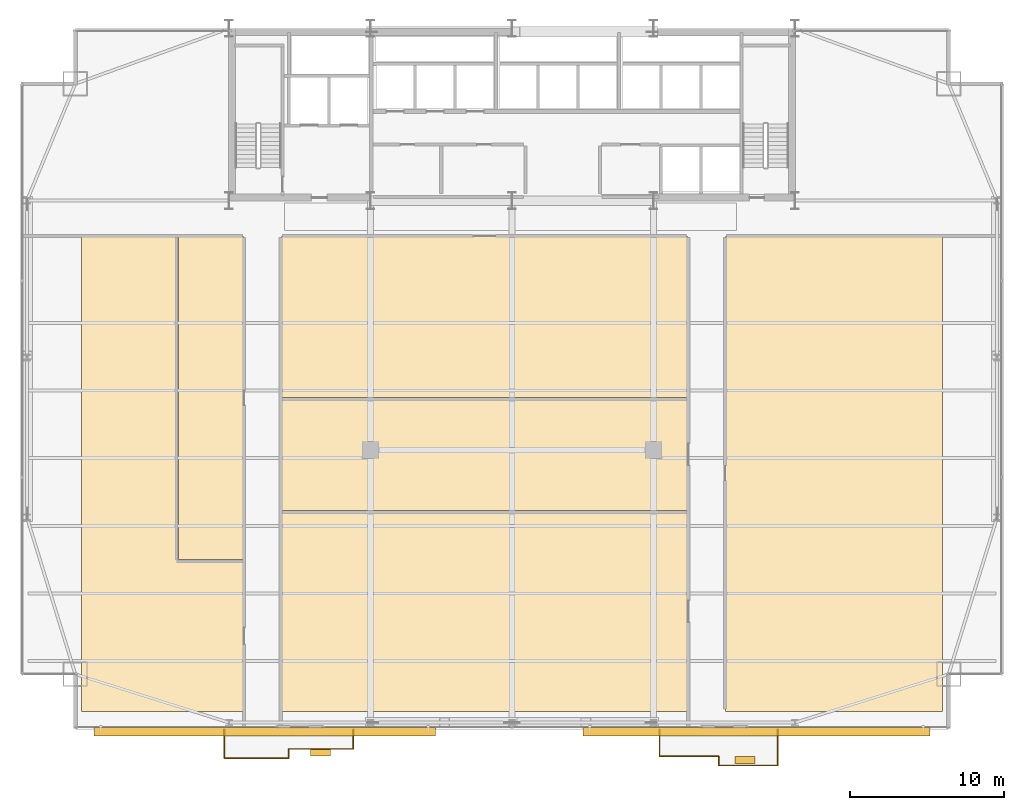
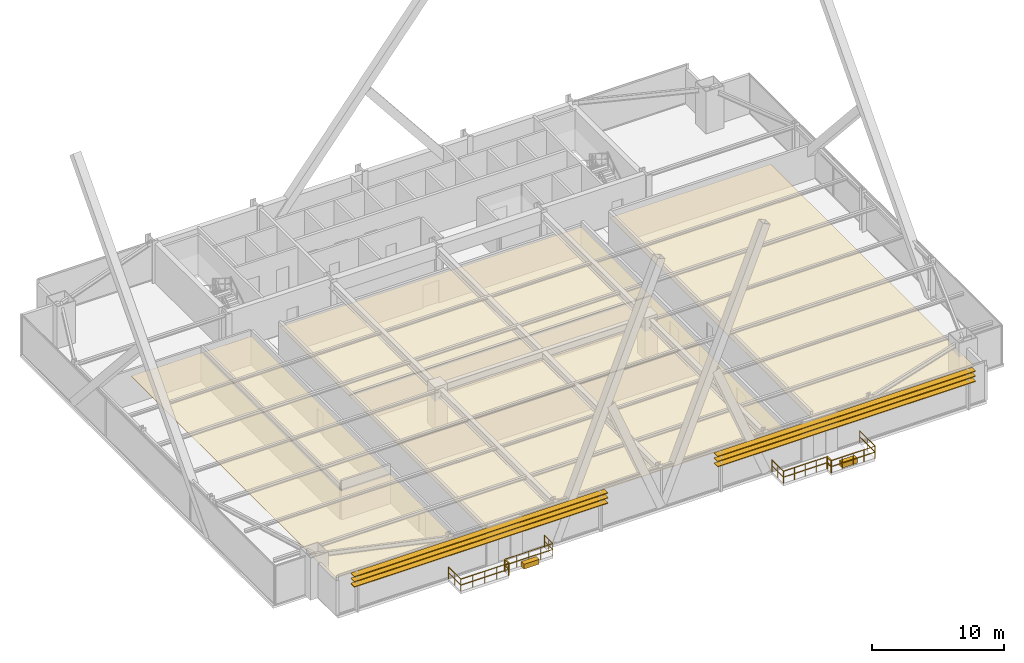
# One storey, part 31 of 32: 10 railings, 8 coverings, 6 shading devices.
"""IFC4 building model written with IfcOpenShell, lengths in metres."""

from ifc_helpers import new_model, si_unit, direction, frame, origin, origin_2d, place, context, subcontext, project, spatial, polyline, rectangle, outline, extrude, source, transform, mapped, material, layer, layer_set, type_object, type_shapes, element, save


model = new_model("IFC4")

# Units and contexts
model_context = context("Model", 3, precision=1e-05, world=origin(), true_north=direction((0.0, 1.0)))
body_context = subcontext(model_context, "Body", "Model", "MODEL_VIEW")
ifc_project = project(units=[si_unit("LENGTHUNIT", "METRE"), si_unit("AREAUNIT", "SQUARE_METRE"), si_unit("VOLUMEUNIT", "CUBIC_METRE"), si_unit("PLANEANGLEUNIT", "RADIAN"), si_unit("MASSUNIT", "GRAM", prefix="KILO")], contexts=[model_context])

# Site, building, storey
site_placement = place(None, origin())
site = spatial("IfcSite", under=ifc_project, at=site_placement, CompositionType="ELEMENT")
building_placement = place(site_placement, origin())
building = spatial("IfcBuilding", under=site, at=building_placement, Name="Varnel Quay Broadcast Tower", CompositionType="ELEMENT")
storey_placement = place(building_placement, frame((0.0, 0.0, 58.800048828125)))
storey = spatial("IfcBuildingStorey", under=building, at=storey_placement, Name="L13", CompositionType="ELEMENT", Elevation=58.800048828125)

# Coverings
ifc_material_1 = material(Name="Micro-Perforated Acoustic Ceiling Tile")
ifc_layer_1 = layer(ifc_material_1, 0.0400390625, Name="Micro-Perforated Acoustic Ceiling Tile")
ifc_layer_set_1 = layer_set([ifc_layer_1], Name="Micro-Perforated Acoustic Ceiling Tile")
covering_type_1 = type_object("IfcCoveringType", Name="Cov_AcousticCeiling", PredefinedType="CEILING", material=ifc_layer_set_1)
covering_1_placement = place(storey_placement, frame((0.0, 0.0, 2.579833984375)))
element("IfcCovering", 1, at=covering_1_placement, inside=storey, type_object=covering_type_1, Name="L13 Broadcast Seminar Room 1 Acoustic Ceiling", PredefinedType="CEILING", context=body_context, shape_type="SweptSolid", body=[
    extrude(outline(polyline([(5.985107421875, 2.375), (16.534912109375, 2.375), (16.534912109375, 12.195068359375), (12.235107421875, 12.195068359375), (12.235107421875, 33.264892578125), (5.985107421875, 33.264892578125), (5.985107421875, 2.375)])), origin(), (0.0, 0.0, 1.0), 0.0400390625),
])
covering_2_placement = place(storey_placement, frame((0.0, 0.0, 2.579833984375)))
element("IfcCovering", 2, at=covering_2_placement, inside=storey, type_object=covering_type_1, Name="L13 Audio Control Room 2 Acoustic Ceiling", PredefinedType="CEILING", context=body_context, shape_type="SweptSolid", body=[
    extrude(outline(polyline([(12.304931640625, 12.264892578125), (16.534912109375, 12.264892578125), (16.534912109375, 33.264892578125), (12.304931640625, 33.264892578125), (12.304931640625, 12.264892578125)])), origin(), (0.0, 0.0, 1.0), 0.0400390625),
])
covering_3_placement = place(storey_placement, frame((0.0, 0.0, 2.579833984375)))
element("IfcCovering", 3, at=covering_3_placement, inside=storey, type_object=covering_type_1, Name="L13 Podcast Recording Studio 3 Acoustic Ceiling", PredefinedType="CEILING", context=body_context, shape_type="SweptSolid", body=[
    extrude(outline(polyline([(19.0048828125, 2.375), (45.425048828125, 2.375), (45.425048828125, 15.385009765625), (19.0048828125, 15.385009765625), (19.0048828125, 2.375)])), origin(), (0.0, 0.0, 1.0), 0.0400390625),
])
covering_4_placement = place(storey_placement, frame((0.0, 0.0, 2.579833984375)))
element("IfcCovering", 4, at=covering_4_placement, inside=storey, type_object=covering_type_1, Name="L13 Foley Sound Studio 4 Acoustic Ceiling", PredefinedType="CEILING", context=body_context, shape_type="SweptSolid", body=[
    extrude(outline(polyline([(19.0048828125, 15.455078125), (45.425048828125, 15.455078125), (45.425048828125, 22.735107421875), (19.0048828125, 22.735107421875), (19.0048828125, 15.455078125)])), origin(), (0.0, 0.0, 1.0), 0.0400390625),
])
covering_5_placement = place(storey_placement, frame((0.0, 0.0, 2.579833984375)))
element("IfcCovering", 5, at=covering_5_placement, inside=storey, type_object=covering_type_1, Name="L13 Voice Booth 5 Acoustic Ceiling", PredefinedType="CEILING", context=body_context, shape_type="SweptSolid", body=[
    extrude(outline(polyline([(19.0048828125, 22.804931640625), (45.425048828125, 22.804931640625), (45.425048828125, 33.264892578125), (19.0048828125, 33.264892578125), (19.0048828125, 22.804931640625)])), origin(), (0.0, 0.0, 1.0), 0.0400390625),
])
covering_6_placement = place(storey_placement, frame((0.0, 0.0, 2.579833984375)))
element("IfcCovering", 6, at=covering_6_placement, inside=storey, type_object=covering_type_1, Name="L13 Audio Control Room 6 Acoustic Ceiling", PredefinedType="CEILING", context=body_context, shape_type="SweptSolid", body=[
    extrude(outline(polyline([(47.89501953125, 2.375), (62.014892578125, 2.375), (62.014892578125, 33.264892578125), (47.89501953125, 33.264892578125), (47.89501953125, 2.375)])), origin(), (0.0, 0.0, 1.0), 0.0400390625),
])

# Railings
ifc_material_2 = material(Name="Anodised Bronze Aluminium 6063-T6", Category="aluminium")
railing_type = type_object("IfcRailingType", Name="Rail_Balustrade1150", PredefinedType="BALUSTRADE", material=ifc_material_2)
railing_1_placement = place(storey_placement, frame((15.280029296875, -0.660888671875, 0.0)))
element("IfcRailing", 7, at=railing_1_placement, inside=storey, type_object=railing_type, Name="L13 Terrace 1 Guard 1", PredefinedType="BALUSTRADE", context=body_context, shape_type="SweptSolid", body=[
    extrude(rectangle(XDim=0.048095703125, YDim=0.048095703125, at=origin_2d()), frame((0.0, 0.0, 1.1259765625), z_axis=(1.0, 0.0, 0.0), x_axis=(0.0, 1.0, 0.0)), (0.0, 0.0, 1.0), 4.199951171875),
    extrude(rectangle(XDim=0.048095703125, YDim=0.048095703125, at=origin_2d()), frame((0.0, 0.0, 0.574951171875), z_axis=(1.0, 0.0, 0.0), x_axis=(0.0, 1.0, 0.0)), (0.0, 0.0, 1.0), 4.199951171875),
    extrude(rectangle(XDim=0.0419921875, YDim=0.0419921875, at=origin_2d()), origin(), (0.0, 0.0, 1.0), 1.101806640625),
    extrude(rectangle(XDim=0.0419921875, YDim=0.0419921875, at=origin_2d()), frame((1.050048828125, 0.0, 0.0)), (0.0, 0.0, 1.0), 1.101806640625),
    extrude(rectangle(XDim=0.0419921875, YDim=0.0419921875, at=origin_2d()), frame((2.10009765625, 0.0, 0.0)), (0.0, 0.0, 1.0), 1.101806640625),
    extrude(rectangle(XDim=0.0419921875, YDim=0.0419921875, at=origin_2d()), frame((3.14990234375, 0.0, 0.0)), (0.0, 0.0, 1.0), 1.101806640625),
    extrude(rectangle(XDim=0.0419921875, YDim=0.0419921875, at=origin_2d()), frame((4.199951171875, 0.0, 0.0)), (0.0, 0.0, 1.0), 1.101806640625),
])
railing_2_placement = place(storey_placement, frame((19.47998046875, -0.660888671875, 0.0)))
element("IfcRailing", 8, at=railing_2_placement, inside=storey, type_object=railing_type, Name="L13 Terrace 1 Guard 2", PredefinedType="BALUSTRADE", context=body_context, shape_type="SweptSolid", body=[
    extrude(rectangle(XDim=0.048095703125, YDim=0.048095703125, at=origin_2d()), frame((0.0, 0.0, 1.1259765625), z_axis=(0.0, 1.0, 0.0), x_axis=(-1.0, 0.0, 0.0)), (0.0, 0.0, 1.0), 0.599853515625),
    extrude(rectangle(XDim=0.048095703125, YDim=0.048095703125, at=origin_2d()), frame((0.0, 0.0, 0.574951171875), z_axis=(0.0, 1.0, 0.0), x_axis=(-1.0, 0.0, 0.0)), (0.0, 0.0, 1.0), 0.599853515625),
    extrude(rectangle(XDim=0.0419921875, YDim=0.0419921875, at=origin_2d()), origin(), (0.0, 0.0, 1.0), 1.101806640625),
    extrude(rectangle(XDim=0.0419921875, YDim=0.0419921875, at=origin_2d()), frame((0.0, 0.599853515625, 0.0)), (0.0, 0.0, 1.0), 1.101806640625),
])
railing_3_placement = place(storey_placement, frame((19.47998046875, -0.06103515625, 0.0)))
element("IfcRailing", 9, at=railing_3_placement, inside=storey, type_object=railing_type, Name="L13 Terrace 1 Guard 3", PredefinedType="BALUSTRADE", context=body_context, shape_type="SweptSolid", body=[
    extrude(rectangle(XDim=0.048095703125, YDim=0.048095703125, at=origin_2d()), frame((0.0, 0.0, 1.1259765625), z_axis=(1.0, 0.0, 0.0), x_axis=(0.0, 1.0, 0.0)), (0.0, 0.0, 1.0), 4.199951171875),
    extrude(rectangle(XDim=0.048095703125, YDim=0.048095703125, at=origin_2d()), frame((0.0, 0.0, 0.574951171875), z_axis=(1.0, 0.0, 0.0), x_axis=(0.0, 1.0, 0.0)), (0.0, 0.0, 1.0), 4.199951171875),
    extrude(rectangle(XDim=0.0419921875, YDim=0.0419921875, at=origin_2d()), origin(), (0.0, 0.0, 1.0), 1.101806640625),
    extrude(rectangle(XDim=0.0419921875, YDim=0.0419921875, at=origin_2d()), frame((1.050048828125, 0.0, 0.0)), (0.0, 0.0, 1.0), 1.101806640625),
    extrude(rectangle(XDim=0.0419921875, YDim=0.0419921875, at=origin_2d()), frame((2.10009765625, 0.0, 0.0)), (0.0, 0.0, 1.0), 1.101806640625),
    extrude(rectangle(XDim=0.0419921875, YDim=0.0419921875, at=origin_2d()), frame((3.14990234375, 0.0, 0.0)), (0.0, 0.0, 1.0), 1.101806640625),
    extrude(rectangle(XDim=0.0419921875, YDim=0.0419921875, at=origin_2d()), frame((4.199951171875, 0.0, 0.0)), (0.0, 0.0, 1.0), 1.101806640625),
])
railing_4_placement = place(storey_placement, frame((23.679931640625, -0.06103515625, 0.0)))
element("IfcRailing", 10, at=railing_4_placement, inside=storey, type_object=railing_type, Name="L13 Terrace 1 Guard 4", PredefinedType="BALUSTRADE", context=body_context, shape_type="SweptSolid", body=[
    extrude(rectangle(XDim=0.048095703125, YDim=0.048095703125, at=origin_2d()), frame((0.0, 0.0, 1.1259765625), z_axis=(0.0, 1.0, 0.0), x_axis=(-1.0, 0.0, 0.0)), (0.0, 0.0, 1.0), 1.260986328125),
    extrude(rectangle(XDim=0.048095703125, YDim=0.048095703125, at=origin_2d()), frame((0.0, 0.0, 0.574951171875), z_axis=(0.0, 1.0, 0.0), x_axis=(-1.0, 0.0, 0.0)), (0.0, 0.0, 1.0), 1.260986328125),
    extrude(rectangle(XDim=0.0419921875, YDim=0.0419921875, at=origin_2d()), origin(), (0.0, 0.0, 1.0), 1.101806640625),
    extrude(rectangle(XDim=0.0419921875, YDim=0.0419921875, at=origin_2d()), frame((0.0, 0.63037109375, 0.0)), (0.0, 0.0, 1.0), 1.101806640625),
    extrude(rectangle(XDim=0.0419921875, YDim=0.0419921875, at=origin_2d()), frame((0.0, 1.260986328125, 0.0)), (0.0, 0.0, 1.0), 1.101806640625),
])
railing_5_placement = place(storey_placement, frame((15.280029296875, 1.199951171875, 0.0)))
element("IfcRailing", 11, at=railing_5_placement, inside=storey, type_object=railing_type, Name="L13 Terrace 1 Guard 6", PredefinedType="BALUSTRADE", context=body_context, shape_type="SweptSolid", body=[
    extrude(rectangle(XDim=0.048095703125, YDim=0.048095703125, at=origin_2d()), frame((0.0, 0.0, 1.1259765625), z_axis=(0.0, -1.0, 0.0), x_axis=(1.0, 0.0, 0.0)), (0.0, 0.0, 1.0), 1.86083984375),
    extrude(rectangle(XDim=0.048095703125, YDim=0.048095703125, at=origin_2d()), frame((0.0, 0.0, 0.574951171875), z_axis=(0.0, -1.0, 0.0), x_axis=(1.0, 0.0, 0.0)), (0.0, 0.0, 1.0), 1.86083984375),
    extrude(rectangle(XDim=0.0419921875, YDim=0.0419921875, at=origin_2d()), origin(), (0.0, 0.0, 1.0), 1.101806640625),
    extrude(rectangle(XDim=0.0419921875, YDim=0.0419921875, at=origin_2d()), frame((0.0, -0.930419921875, 0.0)), (0.0, 0.0, 1.0), 1.101806640625),
    extrude(rectangle(XDim=0.0419921875, YDim=0.0419921875, at=origin_2d()), frame((0.0, -1.86083984375, 0.0)), (0.0, 0.0, 1.0), 1.101806640625),
])
railing_6_placement = place(storey_placement, frame((43.60009765625, -0.5390625, 0.0)))
element("IfcRailing", 12, at=railing_6_placement, inside=storey, type_object=railing_type, Name="L13 Terrace 2 Guard 1", PredefinedType="BALUSTRADE", context=body_context, shape_type="SweptSolid", body=[
    extrude(rectangle(XDim=0.048095703125, YDim=0.048095703125, at=origin_2d()), frame((0.0, 0.0, 1.1259765625), z_axis=(1.0, 0.0, 0.0), x_axis=(0.0, 1.0, 0.0)), (0.0, 0.0, 1.0), 3.83984375),
    extrude(rectangle(XDim=0.048095703125, YDim=0.048095703125, at=origin_2d()), frame((0.0, 0.0, 0.574951171875), z_axis=(1.0, 0.0, 0.0), x_axis=(0.0, 1.0, 0.0)), (0.0, 0.0, 1.0), 3.83984375),
    extrude(rectangle(XDim=0.0419921875, YDim=0.0419921875, at=origin_2d()), origin(), (0.0, 0.0, 1.0), 1.101806640625),
    extrude(rectangle(XDim=0.0419921875, YDim=0.0419921875, at=origin_2d()), frame((0.9599609375, 0.0, 0.0)), (0.0, 0.0, 1.0), 1.101806640625),
    extrude(rectangle(XDim=0.0419921875, YDim=0.0419921875, at=origin_2d()), frame((1.919921875, 0.0, 0.0)), (0.0, 0.0, 1.0), 1.101806640625),
    extrude(rectangle(XDim=0.0419921875, YDim=0.0419921875, at=origin_2d()), frame((2.8798828125, 0.0, 0.0)), (0.0, 0.0, 1.0), 1.101806640625),
    extrude(rectangle(XDim=0.0419921875, YDim=0.0419921875, at=origin_2d()), frame((3.83984375, 0.0, 0.0)), (0.0, 0.0, 1.0), 1.101806640625),
])
railing_7_placement = place(storey_placement, frame((47.43994140625, -0.5390625, 0.0)))
element("IfcRailing", 13, at=railing_7_placement, inside=storey, type_object=railing_type, Name="L13 Terrace 2 Guard 2", PredefinedType="BALUSTRADE", context=body_context, shape_type="SweptSolid", body=[
    extrude(rectangle(XDim=0.048095703125, YDim=0.048095703125, at=origin_2d()), frame((0.0, 0.0, 1.1259765625), z_axis=(0.0, -1.0, 0.0), x_axis=(1.0, 0.0, 0.0)), (0.0, 0.0, 1.0), 0.599853515625),
    extrude(rectangle(XDim=0.048095703125, YDim=0.048095703125, at=origin_2d()), frame((0.0, 0.0, 0.574951171875), z_axis=(0.0, -1.0, 0.0), x_axis=(1.0, 0.0, 0.0)), (0.0, 0.0, 1.0), 0.599853515625),
    extrude(rectangle(XDim=0.0419921875, YDim=0.0419921875, at=origin_2d()), origin(), (0.0, 0.0, 1.0), 1.101806640625),
    extrude(rectangle(XDim=0.0419921875, YDim=0.0419921875, at=origin_2d()), frame((0.0, -0.599853515625, 0.0)), (0.0, 0.0, 1.0), 1.101806640625),
])
railing_8_placement = place(storey_placement, frame((47.43994140625, -1.138916015625, 0.0)))
element("IfcRailing", 14, at=railing_8_placement, inside=storey, type_object=railing_type, Name="L13 Terrace 2 Guard 3", PredefinedType="BALUSTRADE", context=body_context, shape_type="SweptSolid", body=[
    extrude(rectangle(XDim=0.048095703125, YDim=0.048095703125, at=origin_2d()), frame((0.0, 0.0, 1.1259765625), z_axis=(1.0, 0.0, 0.0), x_axis=(0.0, 1.0, 0.0)), (0.0, 0.0, 1.0), 3.840087890625),
    extrude(rectangle(XDim=0.048095703125, YDim=0.048095703125, at=origin_2d()), frame((0.0, 0.0, 0.574951171875), z_axis=(1.0, 0.0, 0.0), x_axis=(0.0, 1.0, 0.0)), (0.0, 0.0, 1.0), 3.840087890625),
    extrude(rectangle(XDim=0.0419921875, YDim=0.0419921875, at=origin_2d()), origin(), (0.0, 0.0, 1.0), 1.101806640625),
    extrude(rectangle(XDim=0.0419921875, YDim=0.0419921875, at=origin_2d()), frame((0.9599609375, 0.0, 0.0)), (0.0, 0.0, 1.0), 1.101806640625),
    extrude(rectangle(XDim=0.0419921875, YDim=0.0419921875, at=origin_2d()), frame((1.919921875, 0.0, 0.0)), (0.0, 0.0, 1.0), 1.101806640625),
    extrude(rectangle(XDim=0.0419921875, YDim=0.0419921875, at=origin_2d()), frame((2.880126953125, 0.0, 0.0)), (0.0, 0.0, 1.0), 1.101806640625),
    extrude(rectangle(XDim=0.0419921875, YDim=0.0419921875, at=origin_2d()), frame((3.840087890625, 0.0, 0.0)), (0.0, 0.0, 1.0), 1.101806640625),
])
railing_9_placement = place(storey_placement, frame((51.280029296875, -1.138916015625, 0.0)))
element("IfcRailing", 15, at=railing_9_placement, inside=storey, type_object=railing_type, Name="L13 Terrace 2 Guard 4", PredefinedType="BALUSTRADE", context=body_context, shape_type="SweptSolid", body=[
    extrude(rectangle(XDim=0.048095703125, YDim=0.048095703125, at=origin_2d()), frame((0.0, 0.0, 1.1259765625), z_axis=(0.0, 1.0, 0.0), x_axis=(-1.0, 0.0, 0.0)), (0.0, 0.0, 1.0), 2.3388671875),
    extrude(rectangle(XDim=0.048095703125, YDim=0.048095703125, at=origin_2d()), frame((0.0, 0.0, 0.574951171875), z_axis=(0.0, 1.0, 0.0), x_axis=(-1.0, 0.0, 0.0)), (0.0, 0.0, 1.0), 2.3388671875),
    extrude(rectangle(XDim=0.0419921875, YDim=0.0419921875, at=origin_2d()), origin(), (0.0, 0.0, 1.0), 1.101806640625),
    extrude(rectangle(XDim=0.0419921875, YDim=0.0419921875, at=origin_2d()), frame((0.0, 1.16943359375, 0.0)), (0.0, 0.0, 1.0), 1.101806640625),
    extrude(rectangle(XDim=0.0419921875, YDim=0.0419921875, at=origin_2d()), frame((0.0, 2.3388671875, 0.0)), (0.0, 0.0, 1.0), 1.101806640625),
])
railing_10_placement = place(storey_placement, frame((43.60009765625, 1.199951171875, 0.0)))
element("IfcRailing", 16, at=railing_10_placement, inside=storey, type_object=railing_type, Name="L13 Terrace 2 Guard 6", PredefinedType="BALUSTRADE", context=body_context, shape_type="SweptSolid", body=[
    extrude(rectangle(XDim=0.048095703125, YDim=0.048095703125, at=origin_2d()), frame((0.0, 0.0, 1.1259765625), z_axis=(0.0, -1.0, 0.0), x_axis=(1.0, 0.0, 0.0)), (0.0, 0.0, 1.0), 1.739013671875),
    extrude(rectangle(XDim=0.048095703125, YDim=0.048095703125, at=origin_2d()), frame((0.0, 0.0, 0.574951171875), z_axis=(0.0, -1.0, 0.0), x_axis=(1.0, 0.0, 0.0)), (0.0, 0.0, 1.0), 1.739013671875),
    extrude(rectangle(XDim=0.0419921875, YDim=0.0419921875, at=origin_2d()), origin(), (0.0, 0.0, 1.0), 1.101806640625),
    extrude(rectangle(XDim=0.0419921875, YDim=0.0419921875, at=origin_2d()), frame((0.0, -0.86962890625, 0.0)), (0.0, 0.0, 1.0), 1.101806640625),
    extrude(rectangle(XDim=0.0419921875, YDim=0.0419921875, at=origin_2d()), frame((0.0, -1.739013671875, 0.0)), (0.0, 0.0, 1.0), 1.101806640625),
])

# Coverings
ifc_material_3 = material(Name="Bronze-Terracotta Extruded Ceramic Blade", Category="masonry")
ifc_layer_2 = layer(ifc_material_3, 0.449951171875, Name="Bronze-Terracotta Extruded Ceramic Blade")
ifc_layer_set_2 = layer_set([ifc_layer_2], Name="Bronze-Terracotta Extruded Ceramic Blade")
covering_type_2 = type_object("IfcCoveringType", Name="Cov_BronzePlanter", PredefinedType="CLADDING", material=ifc_layer_set_2)
shared_shape_1 = source(origin(), body_context, "Body", "SweptSolid", [
    extrude(rectangle(XDim=1.300048828125, YDim=0.449951171875, at=origin_2d()), origin(), (0.0, 0.0, 1.0), 0.449951171875),
])
type_shapes(covering_type_2, [shared_shape_1])
for number, where, z_axis, x_axis, name in (
    (17, (21.550048828125, -0.31103515625, 0.0), (0.0, 0.0, 1.0), (1.0, 0.0, 0.0), "L13 Terrace 1 Bronze Planter"),
    (18, (49.14990234375, -0.7890625, 0.0), (0.0, 0.0, 1.0), (1.0, 0.0, 0.0), "L13 Terrace 2 Bronze Planter"),
):
    element("IfcCovering", number, at=place(storey_placement, frame(where, z_axis=z_axis, x_axis=x_axis)), inside=storey, type_object=covering_type_2, Name=name, PredefinedType="CLADDING", context=body_context, shape_type="MappedRepresentation", body=[
        mapped(shared_shape_1, transform((0.0, 0.0, 0.0), x_axis=(1.0, 0.0, 0.0), y_axis=(0.0, 1.0, 0.0), z_axis=(0.0, 0.0, 1.0), scale=1.0)),
    ])

# Shading devices
ifc_layer_3 = layer(ifc_material_3, 0.06494140625, Name="Bronze-Terracotta Extruded Ceramic Blade")
ifc_layer_set_3 = layer_set([ifc_layer_3], Name="Bronze-Terracotta Extruded Ceramic Blade")
shading_device_type = type_object("IfcShadingDeviceType", Name="Shade_LouvreBlade550", PredefinedType="JALOUSIE", material=ifc_layer_set_3)
shared_shape_2 = source(origin(), body_context, "Body", "SweptSolid", [
    extrude(rectangle(XDim=22.5869140625, YDim=0.550048828125, at=origin_2d()), origin(), (0.0, 0.0, 1.0), 0.06494140625),
])
for number, where, z_axis, x_axis, name in (
    (19, (49.906982421875, 1.06005859375, 2.447509765625), (0.0, 0.0, 1.0), (1.0, 0.0, 0.0), "L13 Lobe 2 Horizontal Louvre Blade 1"),
    (20, (49.906982421875, 1.06005859375, 2.927490234375), (0.0, 0.0, 1.0), (1.0, 0.0, 0.0), "L13 Lobe 2 Horizontal Louvre Blade 2"),
    (21, (49.906982421875, 1.06005859375, 3.387451171875), (0.0, 0.0, 1.0), (1.0, 0.0, 0.0), "L13 Lobe 2 Horizontal Louvre Blade 3"),
):
    element("IfcShadingDevice", number, at=place(storey_placement, frame(where, z_axis=z_axis, x_axis=x_axis)), inside=storey, type_object=shading_device_type, Name=name, PredefinedType="JALOUSIE", context=body_context, shape_type="MappedRepresentation", body=[
        mapped(shared_shape_2, transform((0.0, 0.0, 0.0), x_axis=(1.0, 0.0, 0.0), y_axis=(0.0, 1.0, 0.0), z_axis=(0.0, 0.0, 1.0), scale=1.0)),
    ])
shared_shape_3 = source(origin(), body_context, "Body", "SweptSolid", [
    extrude(rectangle(XDim=22.212890625, YDim=0.550048828125, at=origin_2d()), origin(), (0.0, 0.0, 1.0), 0.06494140625),
])
type_shapes(shading_device_type, [shared_shape_2, shared_shape_3])
for number, where, z_axis, x_axis, name in (
    (22, (17.906982421875, 1.06005859375, 2.447509765625), (0.0, 0.0, 1.0), (1.0, 0.0, 0.0), "L13 Lobe 1 Horizontal Louvre Blade 1"),
    (23, (17.906982421875, 1.06005859375, 2.927490234375), (0.0, 0.0, 1.0), (1.0, 0.0, 0.0), "L13 Lobe 1 Horizontal Louvre Blade 2"),
    (24, (17.906982421875, 1.06005859375, 3.387451171875), (0.0, 0.0, 1.0), (1.0, 0.0, 0.0), "L13 Lobe 1 Horizontal Louvre Blade 3"),
):
    element("IfcShadingDevice", number, at=place(storey_placement, frame(where, z_axis=z_axis, x_axis=x_axis)), inside=storey, type_object=shading_device_type, Name=name, PredefinedType="JALOUSIE", context=body_context, shape_type="MappedRepresentation", body=[
        mapped(shared_shape_3, transform((0.0, 0.0, 0.0), x_axis=(1.0, 0.0, 0.0), y_axis=(0.0, 1.0, 0.0), z_axis=(0.0, 0.0, 1.0), scale=1.0)),
    ])

save(model, "model.ifc")
